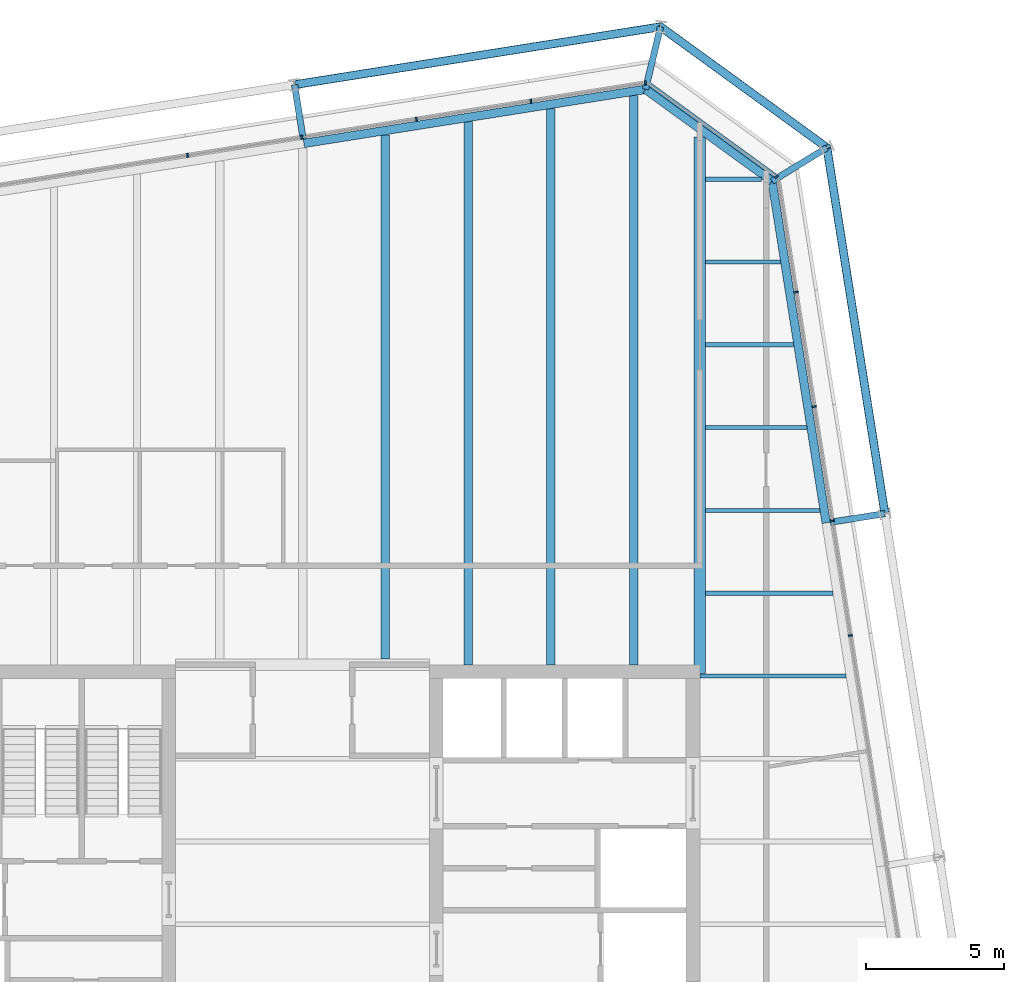
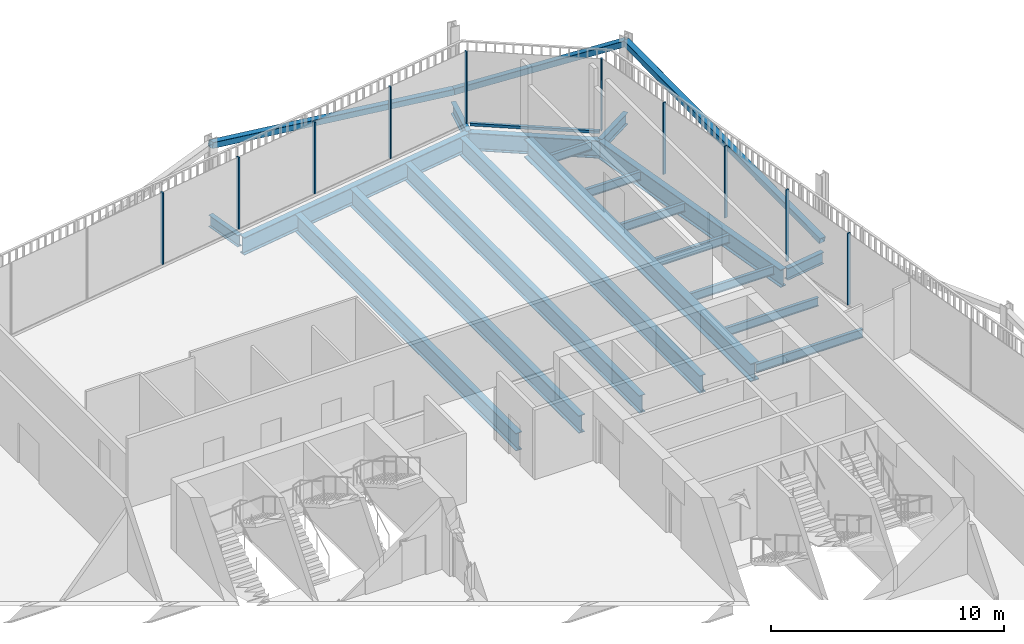
# One storey, part 15 of 21: 19 beams, 14 members, 3 elements without a shape of their own.
"""IFC4 building model written with IfcOpenShell, lengths in metres."""

from ifc_helpers import new_model, si_unit, direction, frame, origin, origin_2d, place, context, subcontext, project, spatial, rectangle, hollow_rectangle, i_section, extrude, material, layer, layer_set, material_profile, profile_set, type_object, element, aggregate, save


model = new_model("IFC4")

# Units and contexts
model_context = context("Model", 3, precision=1e-05, world=origin(), true_north=direction((0.0, 1.0)))
body_context = subcontext(model_context, "Body", "Model", "MODEL_VIEW")
ifc_project = project(units=[si_unit("LENGTHUNIT", "METRE"), si_unit("AREAUNIT", "SQUARE_METRE"), si_unit("VOLUMEUNIT", "CUBIC_METRE"), si_unit("PLANEANGLEUNIT", "RADIAN"), si_unit("MASSUNIT", "GRAM", prefix="KILO")], contexts=[model_context])

# Site, building, storey
site_placement = place(None, origin())
site = spatial("IfcSite", under=ifc_project, at=site_placement, CompositionType="ELEMENT")
building_placement = place(site_placement, origin())
building = spatial("IfcBuilding", under=site, at=building_placement, Name="Millrace Tower", CompositionType="ELEMENT")
storey_placement = place(building_placement, frame((0.0, 0.0, 263.0)))
storey = spatial("IfcBuildingStorey", under=building, at=storey_placement, Name="L60", CompositionType="ELEMENT", Elevation=263.0)

# Curtain wall, members
ifc_material_1 = material(Name="Aluminium and glass", Category="aluminium")
ifc_layer = layer(ifc_material_1, 0.14990234375)
ifc_layer_set = layer_set([ifc_layer], Name="Aluminium and glass")
curtain_wall_type = type_object("IfcCurtainWallType", Name="CW-1 office vision curtain wall", PredefinedType="NOTDEFINED", material=ifc_layer_set)
placement = place(storey_placement, origin())
curtain_wall_1 = element("IfcCurtainWall", 1, at=placement, inside=storey, type_object=curtain_wall_type, Name="Curtain wall D-F04 L60", PredefinedType="NOTDEFINED")
ifc_material_2 = material(Name="Aluminium", Category="aluminium")
ifc_material_profile_1 = material_profile(ifc_material_2, rectangle(XDim=0.06494140625, YDim=0.14990234375, at=origin_2d()))
ifc_profile_set_1 = profile_set([ifc_material_profile_1], Name="Aluminium")
member_type_1 = type_object("IfcMemberType", Name="CW-1 office vision curtain wall mullion", PredefinedType="MULLION", material=ifc_profile_set_1)
member_1_placement = place(storey_placement, frame((19.857421875, 10.466064453125, 0.139892578125), z_axis=(0.0, 0.0, 1.0), x_axis=(-0.156434471884, 0.987688339511, 0.0)))
member_1 = element("IfcMember", 2, at=member_1_placement, type_object=member_type_1, Name="CW1 mullion D-F04.6", PredefinedType="MULLION", context=body_context, shape_type="SweptSolid", body=[
    extrude(rectangle(XDim=0.06494140625, YDim=0.14990234375, at=origin_2d()), origin(), (0.0, 0.0, 1.0), 3.760009765625),
])
member_2_placement = place(storey_placement, frame((19.2001953125, 14.6142578125, 0.139892578125), z_axis=(0.0, 0.0, 1.0), x_axis=(-0.156434471884, 0.987688339511, 0.0)))
member_2 = element("IfcMember", 3, at=member_2_placement, type_object=member_type_1, Name="CW1 mullion D-F04.7", PredefinedType="MULLION", context=body_context, shape_type="SweptSolid", body=[
    extrude(rectangle(XDim=0.06494140625, YDim=0.14990234375, at=origin_2d()), origin(), (0.0, 0.0, 1.0), 3.760009765625),
])
member_3_placement = place(storey_placement, frame((18.543212890625, 18.762451171875, 0.139892578125), z_axis=(0.0, 0.0, 1.0), x_axis=(-0.156434471884, 0.987688339511, 0.0)))
member_3 = element("IfcMember", 4, at=member_3_placement, type_object=member_type_1, Name="CW1 mullion D-F04.8", PredefinedType="MULLION", context=body_context, shape_type="SweptSolid", body=[
    extrude(rectangle(XDim=0.06494140625, YDim=0.14990234375, at=origin_2d()), origin(), (0.0, 0.0, 1.0), 3.760009765625),
])
member_4_placement = place(storey_placement, frame((17.88623046875, 22.910888671875, 0.139892578125), z_axis=(0.0, 0.0, 1.0), x_axis=(-0.156434471884, 0.987688339511, 0.0)))
member_4 = element("IfcMember", 5, at=member_4_placement, type_object=member_type_1, Name="CW1 mullion D-F04.9", PredefinedType="MULLION", context=body_context, shape_type="SweptSolid", body=[
    extrude(rectangle(XDim=0.06494140625, YDim=0.14990234375, at=origin_2d()), origin(), (0.0, 0.0, 1.0), 3.760009765625),
])
aggregate(curtain_wall_1, [member_1, member_2, member_3, member_4])

# Curtain wall, member
curtain_wall_2 = element("IfcCurtainWall", 6, at=placement, inside=storey, type_object=curtain_wall_type, Name="Curtain wall D-F05 L60", PredefinedType="NOTDEFINED")
member_5_placement = place(storey_placement, frame((17.177978515625, 27.094970703125, 0.139892578125), z_axis=(0.0, 0.0, 1.0), x_axis=(-0.809016955361, 0.587785305991, 0.0)))
member_5 = element("IfcMember", 7, at=member_5_placement, type_object=member_type_1, Name="CW1 mullion D-F05.1", PredefinedType="MULLION", context=body_context, shape_type="SweptSolid", body=[
    extrude(rectangle(XDim=0.06494140625, YDim=0.14990234375, at=origin_2d()), origin(), (0.0, 0.0, 1.0), 3.760009765625),
])

# Curtain wall, members
curtain_wall_3 = element("IfcCurtainWall", 8, at=placement, inside=storey, type_object=curtain_wall_type, Name="Curtain wall D-F06 L60", PredefinedType="NOTDEFINED")
member_6_placement = place(storey_placement, frame((12.425537109375, 30.492431640625, 0.139892578125), z_axis=(0.0, 0.0, 1.0), x_axis=(-0.987688339511, -0.156434471884, 0.0)))
member_6 = element("IfcMember", 9, at=member_6_placement, type_object=member_type_1, Name="CW1 mullion D-F06.1", PredefinedType="MULLION", context=body_context, shape_type="SweptSolid", body=[
    extrude(rectangle(XDim=0.06494140625, YDim=0.14990234375, at=origin_2d()), origin(), (0.0, 0.0, 1.0), 3.760009765625),
])
member_7_placement = place(storey_placement, frame((8.277099609375, 29.83544921875, 0.139892578125), z_axis=(0.0, 0.0, 1.0), x_axis=(-0.987688339511, -0.156434471884, 0.0)))
member_7 = element("IfcMember", 10, at=member_7_placement, type_object=member_type_1, Name="CW1 mullion D-F06.2", PredefinedType="MULLION", context=body_context, shape_type="SweptSolid", body=[
    extrude(rectangle(XDim=0.06494140625, YDim=0.14990234375, at=origin_2d()), origin(), (0.0, 0.0, 1.0), 3.760009765625),
])
member_8_placement = place(storey_placement, frame((4.12890625, 29.178466796875, 0.139892578125), z_axis=(0.0, 0.0, 1.0), x_axis=(-0.987688339511, -0.156434471884, 0.0)))
member_8 = element("IfcMember", 11, at=member_8_placement, type_object=member_type_1, Name="CW1 mullion D-F06.3", PredefinedType="MULLION", context=body_context, shape_type="SweptSolid", body=[
    extrude(rectangle(XDim=0.06494140625, YDim=0.14990234375, at=origin_2d()), origin(), (0.0, 0.0, 1.0), 3.760009765625),
])
member_9_placement = place(storey_placement, frame((-0.019287109375, 28.521240234375, 0.139892578125), z_axis=(0.0, 0.0, 1.0), x_axis=(-0.987688339511, -0.156434471884, 0.0)))
member_9 = element("IfcMember", 12, at=member_9_placement, type_object=member_type_1, Name="CW1 mullion D-F06.4", PredefinedType="MULLION", context=body_context, shape_type="SweptSolid", body=[
    extrude(rectangle(XDim=0.06494140625, YDim=0.14990234375, at=origin_2d()), origin(), (0.0, 0.0, 1.0), 3.760009765625),
])
member_10_placement = place(storey_placement, frame((-4.167724609375, 27.8642578125, 0.139892578125), z_axis=(0.0, 0.0, 1.0), x_axis=(-0.987688339511, -0.156434471884, 0.0)))
member_10 = element("IfcMember", 13, at=member_10_placement, type_object=member_type_1, Name="CW1 mullion D-F06.5", PredefinedType="MULLION", context=body_context, shape_type="SweptSolid", body=[
    extrude(rectangle(XDim=0.06494140625, YDim=0.14990234375, at=origin_2d()), origin(), (0.0, 0.0, 1.0), 3.760009765625),
])
aggregate(curtain_wall_3, [member_6, member_7, member_8, member_9, member_10])

# Member
ifc_material_3 = material(Name="Aluminium", Category="aluminium")
ifc_material_profile_2 = material_profile(ifc_material_3, rectangle(XDim=0.14990234375, YDim=0.139892578125, at=origin_2d()))
ifc_profile_set_2 = profile_set([ifc_material_profile_2], Name="Aluminium")
member_type_2 = type_object("IfcMemberType", Name="CW-1 office vision curtain wall transom", PredefinedType="USERDEFINED", material=ifc_profile_set_2)
member_11_placement = place(storey_placement, frame((17.123291015625, 27.134765625, 0.070068359375), z_axis=(-0.809018869857, 0.587782670904, 0.0), x_axis=(-0.587782670904, -0.809018869857, 0.0)))
member_11 = element("IfcMember", 14, at=member_11_placement, type_object=member_type_2, Name="CW1 transom D-F05.1", ObjectType="TRANSOM", PredefinedType="USERDEFINED", context=body_context, shape_type="SweptSolid", body=[
    extrude(rectangle(XDim=0.14990234375, YDim=0.139892578125, at=origin_2d()), origin(), (0.0, 0.0, 1.0), 5.59814453125),
])

aggregate(curtain_wall_2, [member_5, member_11])

# Members
ifc_material_4 = material(Name="Steel ASTM A500 Grade C", Category="steel")
ifc_material_profile_3 = material_profile(ifc_material_4, hollow_rectangle(XDim=0.3046875, YDim=0.3046875, WallThickness=0.009521484375, InnerFilletRadius=0.004638671875, OuterFilletRadius=0.014404296875, at=origin_2d()))
ifc_profile_set_3 = profile_set([ifc_material_profile_3], Name="Steel ASTM A500 Grade C")
member_type_3 = type_object("IfcMemberType", Name="Exoskeleton brace HSS12x12x3/8", PredefinedType="BRACE", material=ifc_profile_set_3)
member_12_placement = place(storey_placement, frame((21.106689453125, 14.88330078125, 0.39990234375), z_axis=(-0.152418552278, 0.962376832989, 0.224943140031), x_axis=(-0.987689444837, -0.156427492975, 0.0)))
element("IfcMember", 15, at=member_12_placement, inside=storey, type_object=member_type_3, Name="BRC-D-L60-08", PredefinedType="BRACE", context=body_context, shape_type="SweptSolid", body=[
    extrude(hollow_rectangle(XDim=0.3046875, YDim=0.3046875, WallThickness=0.009521484375, InnerFilletRadius=0.004638671875, OuterFilletRadius=0.014404296875, at=origin_2d()), origin(), (0.0, 0.0, 1.0), 13.78173828125),
])
member_13_placement = place(storey_placement, frame((12.974609375, 32.5283203125, 0.39990234375), z_axis=(0.747023691832, -0.542707193726, 0.383958989633), x_axis=(0.587758820843, 0.809036197288, 0.0)))
element("IfcMember", 16, at=member_13_placement, inside=storey, type_object=member_type_3, Name="BRC-D-L60-09", PredefinedType="BRACE", context=body_context, shape_type="SweptSolid", body=[
    extrude(hollow_rectangle(XDim=0.3046875, YDim=0.3046875, WallThickness=0.009521484375, InnerFilletRadius=0.004638671875, OuterFilletRadius=0.014404296875, at=origin_2d()), origin(), (0.0, 0.0, 1.0), 8.073974609375),
])
member_14_placement = place(storey_placement, frame((12.974609375, 32.5283203125, 0.39990234375), z_axis=(-0.962375525054, -0.152421150807, 0.224946975005), x_axis=(0.156430301989, -0.987688999949, 0.0)))
element("IfcMember", 17, at=member_14_placement, inside=storey, type_object=member_type_3, Name="BRC-D-L60-10", PredefinedType="BRACE", context=body_context, shape_type="SweptSolid", body=[
    extrude(hollow_rectangle(XDim=0.3046875, YDim=0.3046875, WallThickness=0.009521484375, InnerFilletRadius=0.004638671875, OuterFilletRadius=0.014404296875, at=origin_2d()), origin(), (0.0, 0.0, 1.0), 13.781494140625),
])

# Beams
ifc_material_5 = material(Name="Steel ASTM A992 Grade 50", Category="steel")
ifc_material_profile_4 = material_profile(ifc_material_5, i_section(OverallWidth=0.15234375, OverallDepth=0.449462890625, WebThickness=0.007568359375, FlangeThickness=0.0107421875, FilletRadius=0.01025390625, at=origin_2d()))
ifc_profile_set_4 = profile_set([ifc_material_profile_4], Name="Steel ASTM A992 Grade 50")
beam_type_1 = type_object("IfcBeamType", Name="Floor beam W18x35", PredefinedType="JOIST", material=ifc_profile_set_4)
beam_1_placement = place(storey_placement, frame((14.39990234375, 9.0, -0.384765625), z_axis=(1.0, 0.0, 0.0), x_axis=(0.0, 1.0, 0.0)))
element("IfcBeam", 18, at=beam_1_placement, inside=storey, type_object=beam_type_1, Name="BM-D-L60-S1-S024", PredefinedType="JOIST", context=body_context, shape_type="SweptSolid", body=[
    extrude(i_section(OverallWidth=0.15234375, OverallDepth=0.449462890625, WebThickness=0.007568359375, FlangeThickness=0.0107421875, FilletRadius=0.01025390625, at=origin_2d()), origin(), (0.0, 0.0, 1.0), 5.302490234375),
])
beam_2_placement = place(storey_placement, frame((14.609619140625, 12.0, -0.384765625), z_axis=(1.0, 0.0, 0.0), x_axis=(0.0, 1.0, 0.0)))
element("IfcBeam", 19, at=beam_2_placement, inside=storey, type_object=beam_type_1, Name="BM-D-L60-S1-S026", PredefinedType="JOIST", context=body_context, shape_type="SweptSolid", body=[
    extrude(i_section(OverallWidth=0.15234375, OverallDepth=0.449462890625, WebThickness=0.007568359375, FlangeThickness=0.0107421875, FilletRadius=0.01025390625, at=origin_2d()), origin(), (0.0, 0.0, 1.0), 4.61767578125),
])
beam_3_placement = place(storey_placement, frame((14.609619140625, 15.0, -0.384765625), z_axis=(1.0, 0.0, 0.0), x_axis=(0.0, 1.0, 0.0)))
element("IfcBeam", 20, at=beam_3_placement, inside=storey, type_object=beam_type_1, Name="BM-D-L60-S1-S028", PredefinedType="JOIST", context=body_context, shape_type="SweptSolid", body=[
    extrude(i_section(OverallWidth=0.15234375, OverallDepth=0.449462890625, WebThickness=0.007568359375, FlangeThickness=0.0107421875, FilletRadius=0.01025390625, at=origin_2d()), origin(), (0.0, 0.0, 1.0), 4.142578125),
])
beam_4_placement = place(storey_placement, frame((14.609619140625, 18.0, -0.384765625), z_axis=(1.0, 0.0, 0.0), x_axis=(0.0, 1.0, 0.0)))
element("IfcBeam", 21, at=beam_4_placement, inside=storey, type_object=beam_type_1, Name="BM-D-L60-S1-S030", PredefinedType="JOIST", context=body_context, shape_type="SweptSolid", body=[
    extrude(i_section(OverallWidth=0.15234375, OverallDepth=0.449462890625, WebThickness=0.007568359375, FlangeThickness=0.0107421875, FilletRadius=0.01025390625, at=origin_2d()), origin(), (0.0, 0.0, 1.0), 3.667236328125),
])
beam_5_placement = place(storey_placement, frame((14.609619140625, 21.0, -0.384765625), z_axis=(1.0, 0.0, 0.0), x_axis=(0.0, 1.0, 0.0)))
element("IfcBeam", 22, at=beam_5_placement, inside=storey, type_object=beam_type_1, Name="BM-D-L60-S1-S032", PredefinedType="JOIST", context=body_context, shape_type="SweptSolid", body=[
    extrude(i_section(OverallWidth=0.15234375, OverallDepth=0.449462890625, WebThickness=0.007568359375, FlangeThickness=0.0107421875, FilletRadius=0.01025390625, at=origin_2d()), origin(), (0.0, 0.0, 1.0), 3.192138671875),
])
beam_6_placement = place(storey_placement, frame((14.609619140625, 24.0, -0.384765625), z_axis=(1.0, 0.0, 0.0), x_axis=(0.0, 1.0, 0.0)))
element("IfcBeam", 23, at=beam_6_placement, inside=storey, type_object=beam_type_1, Name="BM-D-L60-S1-S034", PredefinedType="JOIST", context=body_context, shape_type="SweptSolid", body=[
    extrude(i_section(OverallWidth=0.15234375, OverallDepth=0.449462890625, WebThickness=0.007568359375, FlangeThickness=0.0107421875, FilletRadius=0.01025390625, at=origin_2d()), origin(), (0.0, 0.0, 1.0), 2.717041015625),
])
beam_7_placement = place(storey_placement, frame((14.609619140625, 27.0, -0.384765625), z_axis=(1.0, 0.0, 0.0), x_axis=(0.0, 1.0, 0.0)))
element("IfcBeam", 24, at=beam_7_placement, inside=storey, type_object=beam_type_1, Name="BM-D-L60-S1-S035", PredefinedType="JOIST", context=body_context, shape_type="SweptSolid", body=[
    extrude(i_section(OverallWidth=0.15234375, OverallDepth=0.449462890625, WebThickness=0.007568359375, FlangeThickness=0.0107421875, FilletRadius=0.01025390625, at=origin_2d()), origin(), (0.0, 0.0, 1.0), 2.020751953125),
])
ifc_material_6 = material(Name="Steel ASTM A992 Grade 50", Category="steel")
ifc_material_profile_5 = material_profile(ifc_material_6, i_section(OverallWidth=0.307373046875, OverallDepth=0.927001953125, WebThickness=0.01953125, FlangeThickness=0.031982421875, FilletRadius=0.01904296875, at=origin_2d()))
ifc_profile_set_5 = profile_set([ifc_material_profile_5], Name="Steel ASTM A992 Grade 50")
beam_type_2 = type_object("IfcBeamType", Name="Floor beam W36x194", PredefinedType="JOIST", material=ifc_profile_set_5)
beam_8_placement = place(storey_placement, frame((3.0, 9.609619140625, -0.62353515625), z_axis=(0.0, 1.0, 0.0), x_axis=(-1.0, 0.0, 0.0)))
element("IfcBeam", 25, at=beam_8_placement, inside=storey, type_object=beam_type_2, Name="BM-D-L60-S1-S046", PredefinedType="JOIST", context=body_context, shape_type="SweptSolid", body=[
    extrude(i_section(OverallWidth=0.307373046875, OverallDepth=0.927001953125, WebThickness=0.01953125, FlangeThickness=0.031982421875, FilletRadius=0.01904296875, at=origin_2d()), origin(), (0.0, 0.0, 1.0), 19.0029296875),
])
beam_9_placement = place(storey_placement, frame((6.0, 9.39990234375, -0.62353515625), z_axis=(0.0, 1.0, 0.0), x_axis=(-1.0, 0.0, 0.0)))
element("IfcBeam", 26, at=beam_9_placement, inside=storey, type_object=beam_type_2, Name="BM-D-L60-S1-S048", PredefinedType="JOIST", context=body_context, shape_type="SweptSolid", body=[
    extrude(i_section(OverallWidth=0.307373046875, OverallDepth=0.927001953125, WebThickness=0.01953125, FlangeThickness=0.031982421875, FilletRadius=0.01904296875, at=origin_2d()), origin(), (0.0, 0.0, 1.0), 19.687744140625),
])
beam_10_placement = place(storey_placement, frame((9.0, 9.39990234375, -0.62353515625), z_axis=(0.0, 1.0, 0.0), x_axis=(-1.0, 0.0, 0.0)))
element("IfcBeam", 27, at=beam_10_placement, inside=storey, type_object=beam_type_2, Name="BM-D-L60-S1-S050", PredefinedType="JOIST", context=body_context, shape_type="SweptSolid", body=[
    extrude(i_section(OverallWidth=0.307373046875, OverallDepth=0.927001953125, WebThickness=0.01953125, FlangeThickness=0.031982421875, FilletRadius=0.01904296875, at=origin_2d()), origin(), (0.0, 0.0, 1.0), 20.162841796875),
])
beam_11_placement = place(storey_placement, frame((12.0, 9.39990234375, -0.62353515625), z_axis=(0.0, 1.0, 0.0), x_axis=(-1.0, 0.0, 0.0)))
element("IfcBeam", 28, at=beam_11_placement, inside=storey, type_object=beam_type_2, Name="BM-D-L60-S1-S052", PredefinedType="JOIST", context=body_context, shape_type="SweptSolid", body=[
    extrude(i_section(OverallWidth=0.307373046875, OverallDepth=0.927001953125, WebThickness=0.01953125, FlangeThickness=0.031982421875, FilletRadius=0.01904296875, at=origin_2d()), origin(), (0.0, 0.0, 1.0), 20.637939453125),
])
ifc_material_7 = material(Name="Steel ASTM A992 Grade 50", Category="steel")
ifc_material_profile_6 = material_profile(ifc_material_7, i_section(OverallWidth=0.424072265625, OverallDepth=0.947509765625, WebThickness=0.02392578125, FlangeThickness=0.042724609375, FilletRadius=0.024169921875, at=origin_2d()))
ifc_profile_set_6 = profile_set([ifc_material_profile_6], Name="Steel ASTM A992 Grade 50")
beam_type_3 = type_object("IfcBeamType", Name="Girder medium span W36x302", PredefinedType="BEAM", material=ifc_profile_set_6)
beam_12_placement = place(storey_placement, frame((14.39990234375, 9.080078125, -0.6337890625), z_axis=(0.0, 1.0, 0.0), x_axis=(-1.0, 0.0, 0.0)))
element("IfcBeam", 29, at=beam_12_placement, inside=storey, type_object=beam_type_3, Name="BM-D-L60-S1-G056", PredefinedType="BEAM", context=body_context, shape_type="SweptSolid", body=[
    extrude(i_section(OverallWidth=0.424072265625, OverallDepth=0.947509765625, WebThickness=0.02392578125, FlangeThickness=0.042724609375, FilletRadius=0.024169921875, at=origin_2d()), origin(), (0.0, 0.0, 1.0), 19.460693359375),
])
ifc_material_8 = material(Name="Steel ASTM A992 Grade 50", Category="steel")
ifc_material_profile_7 = material_profile(ifc_material_8, i_section(OverallWidth=0.23046875, OverallDepth=0.6171875, WebThickness=0.01318359375, FlangeThickness=0.022216796875, FilletRadius=0.012939453125, at=origin_2d()))
ifc_profile_set_7 = profile_set([ifc_material_profile_7], Name="Steel ASTM A992 Grade 50")
beam_type_4 = type_object("IfcBeamType", Name="Link beam W24x94", PredefinedType="BEAM", material=ifc_profile_set_7)
beam_13_placement = place(storey_placement, frame((0.0244140625, 28.452392578125, -0.468505859375), z_axis=(-0.15637629034, 0.987697552806, 0.0), x_axis=(-0.987697552806, -0.15637629034, 0.0)))
element("IfcBeam", 30, at=beam_13_placement, inside=storey, type_object=beam_type_4, Name="LNK-D-L60-S1-07", PredefinedType="BEAM", context=body_context, shape_type="SweptSolid", body=[
    extrude(i_section(OverallWidth=0.23046875, OverallDepth=0.6171875, WebThickness=0.01318359375, FlangeThickness=0.022216796875, FilletRadius=0.012939453125, at=origin_2d()), origin(), (0.0, 0.0, 1.0), 2.0),
])
beam_14_placement = place(storey_placement, frame((12.430419921875, 30.26171875, -0.468505859375), z_axis=(0.233456138164, 0.972367333652, 0.0), x_axis=(-0.972367333652, 0.233456138164, 0.0)))
element("IfcBeam", 31, at=beam_14_placement, inside=storey, type_object=beam_type_4, Name="LNK-D-L60-S1-08", PredefinedType="BEAM", context=body_context, shape_type="SweptSolid", body=[
    extrude(i_section(OverallWidth=0.23046875, OverallDepth=0.6171875, WebThickness=0.01318359375, FlangeThickness=0.022216796875, FilletRadius=0.012939453125, at=origin_2d()), origin(), (0.0, 0.0, 1.0), 2.3310546875),
])
beam_15_placement = place(storey_placement, frame((17.018310546875, 26.928466796875, -0.468505859375), z_axis=(0.852659946142, 0.5224662824, 0.0), x_axis=(-0.5224662824, 0.852659946142, 0.0)))
element("IfcBeam", 32, at=beam_15_placement, inside=storey, type_object=beam_type_4, Name="LNK-D-L60-S1-09", PredefinedType="BEAM", context=body_context, shape_type="SweptSolid", body=[
    extrude(i_section(OverallWidth=0.23046875, OverallDepth=0.6171875, WebThickness=0.01318359375, FlangeThickness=0.022216796875, FilletRadius=0.012939453125, at=origin_2d()), origin(), (0.0, 0.0, 1.0), 2.331298828125),
])
beam_16_placement = place(storey_placement, frame((19.13134765625, 14.5703125, -0.468505859375), z_axis=(0.987678691416, 0.156495375404, 0.0), x_axis=(-0.156495375404, 0.987678691416, 0.0)))
element("IfcBeam", 33, at=beam_16_placement, inside=storey, type_object=beam_type_4, Name="LNK-D-L60-S1-10", PredefinedType="BEAM", context=body_context, shape_type="SweptSolid", body=[
    extrude(i_section(OverallWidth=0.23046875, OverallDepth=0.6171875, WebThickness=0.01318359375, FlangeThickness=0.022216796875, FilletRadius=0.012939453125, at=origin_2d()), origin(), (0.0, 0.0, 1.0), 2.0),
])
ifc_material_9 = material(Name="Steel ASTM A992 Grade 50", Category="steel")
ifc_material_profile_8 = material_profile(ifc_material_9, i_section(OverallWidth=0.307373046875, OverallDepth=0.927001953125, WebThickness=0.01953125, FlangeThickness=0.031982421875, FilletRadius=0.01904296875, at=origin_2d()))
ifc_profile_set_8 = profile_set([ifc_material_profile_8], Name="Steel ASTM A992 Grade 50")
beam_type_5 = type_object("IfcBeamType", Name="Ring beam medium span W36x194", PredefinedType="SPANDREL", material=ifc_profile_set_8)
beam_17_placement = place(storey_placement, frame((0.048583984375, 28.300537109375, -0.62353515625), z_axis=(0.987687213011, 0.156441584157, 0.0), x_axis=(-0.156441584157, 0.987687213011, 0.0)))
element("IfcBeam", 34, at=beam_17_placement, inside=storey, type_object=beam_type_5, Name="RNG-D-L60-S1-07", PredefinedType="SPANDREL", context=body_context, shape_type="SweptSolid", body=[
    extrude(i_section(OverallWidth=0.307373046875, OverallDepth=0.927001953125, WebThickness=0.01953125, FlangeThickness=0.031982421875, FilletRadius=0.01904296875, at=origin_2d()), origin(), (0.0, 0.0, 1.0), 12.5361328125),
])
beam_18_placement = place(storey_placement, frame((17.018310546875, 26.928466796875, -0.62353515625), z_axis=(0.156438575049, -0.987687689625, 0.0), x_axis=(0.987687689625, 0.156438575049, 0.0)))
element("IfcBeam", 35, at=beam_18_placement, inside=storey, type_object=beam_type_5, Name="RNG-D-L60-S1-09", PredefinedType="SPANDREL", context=body_context, shape_type="SweptSolid", body=[
    extrude(i_section(OverallWidth=0.307373046875, OverallDepth=0.927001953125, WebThickness=0.01953125, FlangeThickness=0.031982421875, FilletRadius=0.01904296875, at=origin_2d()), origin(), (0.0, 0.0, 1.0), 12.536376953125),
])
ifc_material_10 = material(Name="Steel ASTM A992 Grade 50", Category="steel")
ifc_material_profile_9 = material_profile(ifc_material_10, i_section(OverallWidth=0.307373046875, OverallDepth=0.927001953125, WebThickness=0.01953125, FlangeThickness=0.031982421875, FilletRadius=0.01904296875, at=origin_2d()))
ifc_profile_set_9 = profile_set([ifc_material_profile_9], Name="Steel ASTM A992 Grade 50")
beam_type_6 = type_object("IfcBeamType", Name="Ring beam short span W36x194", PredefinedType="SPANDREL", material=ifc_profile_set_9)
beam_19_placement = place(storey_placement, frame((12.430419921875, 30.26171875, -0.62353515625), z_axis=(0.80902082646, -0.587779977844, 0.0), x_axis=(0.587779977844, 0.80902082646, 0.0)))
element("IfcBeam", 36, at=beam_19_placement, inside=storey, type_object=beam_type_6, Name="RNG-D-L60-S1-08", PredefinedType="SPANDREL", context=body_context, shape_type="SweptSolid", body=[
    extrude(i_section(OverallWidth=0.307373046875, OverallDepth=0.927001953125, WebThickness=0.01953125, FlangeThickness=0.031982421875, FilletRadius=0.01904296875, at=origin_2d()), origin(), (0.0, 0.0, 1.0), 5.6708984375),
])

save(model, "model.ifc")
